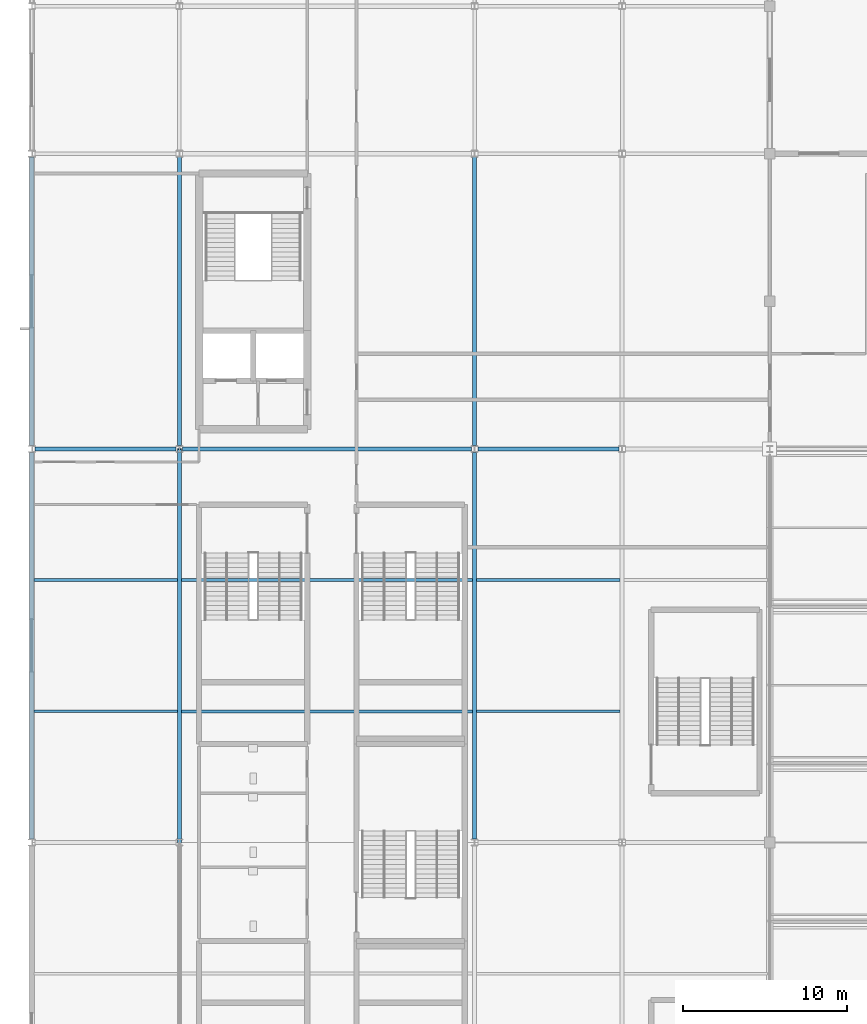
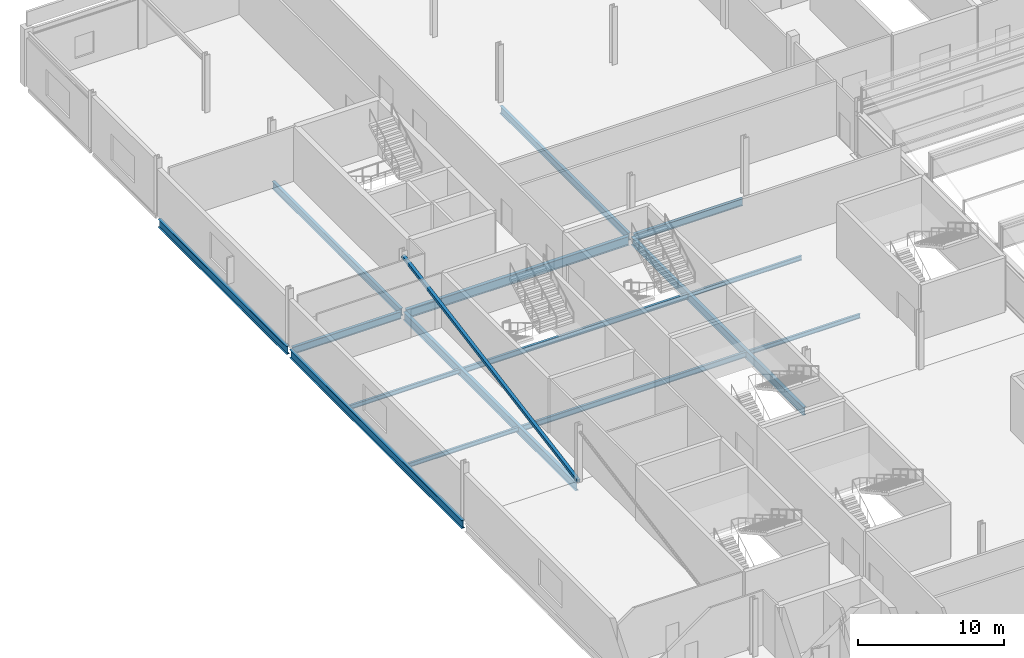
# One storey, part 37 of 136: 15 beams, 1 member.
"""IFC4 building model written with IfcOpenShell, lengths in metres."""

from ifc_helpers import new_model, si_unit, direction, frame, origin, origin_2d, place, context, subcontext, project, spatial, hollow_rectangle, i_section, extrude, material, material_profile, profile_set, type_object, element, save


model = new_model("IFC4")

# Units and contexts
model_context = context("Model", 3, precision=1e-05, world=origin(), true_north=direction((0.0, 1.0)))
body_context = subcontext(model_context, "Body", "Model", "MODEL_VIEW")
ifc_project = project(units=[si_unit("LENGTHUNIT", "METRE"), si_unit("AREAUNIT", "SQUARE_METRE"), si_unit("VOLUMEUNIT", "CUBIC_METRE"), si_unit("PLANEANGLEUNIT", "RADIAN"), si_unit("MASSUNIT", "GRAM", prefix="KILO")], contexts=[model_context])

# Site, building, storey
site_placement = place(None, origin())
site = spatial("IfcSite", under=ifc_project, at=site_placement, CompositionType="ELEMENT")
building_placement = place(site_placement, origin())
building = spatial("IfcBuilding", under=site, at=building_placement, Name="Kisiwana Market Hall", CompositionType="ELEMENT")
storey_placement = place(building_placement, frame((0.0, 0.0, 16.800048828125)))
storey = spatial("IfcBuildingStorey", under=building, at=storey_placement, Name="L03", CompositionType="ELEMENT", Elevation=16.800048828125)

# Beams
ifc_material_1 = material(Name="Steel S355", Category="steel")
ifc_material_profile_1 = material_profile(ifc_material_1, i_section(OverallWidth=0.22900390625, OverallDepth=0.6123046875, WebThickness=0.011962890625, FlangeThickness=0.01953125, at=origin_2d()), Name="UB 610x229x125")
ifc_profile_set_1 = profile_set([ifc_material_profile_1], Name="Steel S355")
beam_type_1 = type_object("IfcBeamType", Name="BM-GIRD-UB610H", PredefinedType="BEAM", material=ifc_profile_set_1)
for number, where, z_axis, x_axis, name in (
    (1, (0.198974609375, 84.0, -0.55615234375), (1.0, 0.0, 0.0), (0.0, 1.0, 0.0), "Floor beam B-1025"),
    (2, (27.198974609375, 84.0, -0.55615234375), (1.0, 0.0, 0.0), (0.0, 1.0, 0.0), "Floor beam B-1027"),
):
    element("IfcBeam", number, at=place(storey_placement, frame(where, z_axis=z_axis, x_axis=x_axis)), inside=storey, type_object=beam_type_1, Name=name, PredefinedType="BEAM", context=body_context, shape_type="SweptSolid", body=[
        extrude(i_section(OverallWidth=0.22900390625, OverallDepth=0.6123046875, WebThickness=0.011962890625, FlangeThickness=0.01953125, at=origin_2d()), origin(), (0.0, 0.0, 1.0), 8.60205078125),
    ])
for number, where, z_axis, x_axis, name in (
    (3, (9.0, 84.2041015625, -0.55615234375), (0.0, 1.0, 0.0), (-1.0, 0.0, 0.0), "Primary girder B-0858"),
    (4, (27.0, 84.2041015625, -0.55615234375), (0.0, 1.0, 0.0), (-1.0, 0.0, 0.0), "Primary girder B-0864"),
):
    element("IfcBeam", number, at=place(storey_placement, frame(where, z_axis=z_axis, x_axis=x_axis)), inside=storey, type_object=beam_type_1, Name=name, PredefinedType="BEAM", context=body_context, shape_type="SweptSolid", body=[
        extrude(i_section(OverallWidth=0.22900390625, OverallDepth=0.6123046875, WebThickness=0.011962890625, FlangeThickness=0.01953125, at=origin_2d()), origin(), (0.0, 0.0, 1.0), 17.591796875),
    ])
ifc_material_2 = material(Name="Steel S355", Category="steel")
ifc_material_profile_2 = material_profile(ifc_material_2, i_section(OverallWidth=0.253662109375, OverallDepth=0.68359375, WebThickness=0.012451171875, FlangeThickness=0.01904296875, at=origin_2d()), Name="UB 686x254x140")
ifc_profile_set_2 = profile_set([ifc_material_profile_2], Name="Steel S355")
beam_type_2 = type_object("IfcBeamType", Name="BM-GIRD-UB686", PredefinedType="BEAM", material=ifc_profile_set_2)
beam_1_placement = place(storey_placement, frame((0.0, 60.2041015625, -0.591796875), z_axis=(0.0, 1.0, 0.0), x_axis=(-1.0, 0.0, 0.0)))
element("IfcBeam", 5, at=beam_1_placement, inside=storey, type_object=beam_type_2, Name="Floor beam B-1081", PredefinedType="BEAM", context=body_context, shape_type="SweptSolid", body=[
    extrude(i_section(OverallWidth=0.253662109375, OverallDepth=0.68359375, WebThickness=0.012451171875, FlangeThickness=0.01904296875, at=origin_2d()), origin(), (0.0, 0.0, 1.0), 23.591796875),
])
beam_2_placement = place(storey_placement, frame((0.0, 84.2041015625, -0.591796875), z_axis=(0.0, 1.0, 0.0), x_axis=(-1.0, 0.0, 0.0)))
element("IfcBeam", 6, at=beam_2_placement, inside=storey, type_object=beam_type_2, Name="Floor beam B-1082", PredefinedType="BEAM", context=body_context, shape_type="SweptSolid", body=[
    extrude(i_section(OverallWidth=0.253662109375, OverallDepth=0.68359375, WebThickness=0.012451171875, FlangeThickness=0.01904296875, at=origin_2d()), origin(), (0.0, 0.0, 1.0), 17.591796875),
])
for number, where, z_axis, x_axis, name in (
    (7, (27.0, 60.2041015625, -0.591796875), (0.0, 1.0, 0.0), (-1.0, 0.0, 0.0), "Floor beam B-1086"),
    (8, (9.0, 60.2041015625, -0.591796875), (0.0, 1.0, 0.0), (-1.0, 0.0, 0.0), "Primary girder B-0857"),
):
    element("IfcBeam", number, at=place(storey_placement, frame(where, z_axis=z_axis, x_axis=x_axis)), inside=storey, type_object=beam_type_2, Name=name, PredefinedType="BEAM", context=body_context, shape_type="SweptSolid", body=[
        extrude(i_section(OverallWidth=0.253662109375, OverallDepth=0.68359375, WebThickness=0.012451171875, FlangeThickness=0.01904296875, at=origin_2d()), origin(), (0.0, 0.0, 1.0), 23.591796875),
    ])
ifc_material_3 = material(Name="Steel S355", Category="steel")
ifc_material_profile_3 = material_profile(ifc_material_3, i_section(OverallWidth=0.2666015625, OverallDepth=0.76220703125, WebThickness=0.014404296875, FlangeThickness=0.021484375, at=origin_2d()), Name="UB 762x267x173")
ifc_profile_set_3 = profile_set([ifc_material_profile_3], Name="Steel S355")
beam_type_3 = type_object("IfcBeamType", Name="BM-GIRD-UB762", PredefinedType="BEAM", material=ifc_profile_set_3)
beam_3_placement = place(storey_placement, frame((9.198974609375, 84.0, -0.631103515625), z_axis=(1.0, 0.0, 0.0), x_axis=(0.0, 1.0, 0.0)))
element("IfcBeam", 9, at=beam_3_placement, inside=storey, type_object=beam_type_3, Name="Floor beam B-1026", PredefinedType="BEAM", context=body_context, shape_type="SweptSolid", body=[
    extrude(i_section(OverallWidth=0.2666015625, OverallDepth=0.76220703125, WebThickness=0.014404296875, FlangeThickness=0.021484375, at=origin_2d()), origin(), (0.0, 0.0, 1.0), 17.60205078125),
])
ifc_material_4 = material(Name="Steel S355", Category="steel")
ifc_material_profile_4 = material_profile(ifc_material_4, i_section(OverallWidth=0.17138671875, OverallDepth=0.35498046875, WebThickness=0.00732421875, FlangeThickness=0.011474609375, at=origin_2d()), Name="UB 356x171x51")
ifc_profile_set_4 = profile_set([ifc_material_profile_4], Name="Steel S355")
beam_type_4 = type_object("IfcBeamType", Name="BM-JOIST-UB356", PredefinedType="JOIST", material=ifc_profile_set_4)
for number, where, z_axis, x_axis, name in (
    (10, (0.125732421875, 68.0, -0.427490234375), (1.0, 0.0, 0.0), (0.0, 1.0, 0.0), "Secondary floor joist B-0957"),
    (11, (27.125732421875, 68.0, -0.427490234375), (1.0, 0.0, 0.0), (0.0, 1.0, 0.0), "Secondary floor joist B-0959"),
    (12, (0.125732421875, 76.0, -0.427490234375), (1.0, 0.0, 0.0), (0.0, 1.0, 0.0), "Secondary floor joist B-0963"),
    (13, (27.125732421875, 76.0, -0.427490234375), (1.0, 0.0, 0.0), (0.0, 1.0, 0.0), "Secondary floor joist B-0965"),
):
    element("IfcBeam", number, at=place(storey_placement, frame(where, z_axis=z_axis, x_axis=x_axis)), inside=storey, type_object=beam_type_4, Name=name, PredefinedType="JOIST", context=body_context, shape_type="SweptSolid", body=[
        extrude(i_section(OverallWidth=0.17138671875, OverallDepth=0.35498046875, WebThickness=0.00732421875, FlangeThickness=0.011474609375, at=origin_2d()), origin(), (0.0, 0.0, 1.0), 8.74853515625),
    ])
ifc_material_5 = material(Name="Steel S355", Category="steel")
ifc_material_profile_5 = material_profile(ifc_material_5, i_section(OverallWidth=0.18994140625, OverallDepth=0.453369140625, WebThickness=0.008544921875, FlangeThickness=0.0126953125, at=origin_2d()), Name="UB 457x191x67")
ifc_profile_set_5 = profile_set([ifc_material_profile_5], Name="Steel S355")
beam_type_5 = type_object("IfcBeamType", Name="BM-JOIST-UB457", PredefinedType="JOIST", material=ifc_profile_set_5)
for number, where, z_axis, x_axis, name in (
    (14, (9.125732421875, 68.0, -0.476806640625), (1.0, 0.0, 0.0), (0.0, 1.0, 0.0), "Secondary floor joist B-0958"),
    (15, (9.125732421875, 76.0, -0.476806640625), (1.0, 0.0, 0.0), (0.0, 1.0, 0.0), "Secondary floor joist B-0964"),
):
    element("IfcBeam", number, at=place(storey_placement, frame(where, z_axis=z_axis, x_axis=x_axis)), inside=storey, type_object=beam_type_5, Name=name, PredefinedType="JOIST", context=body_context, shape_type="SweptSolid", body=[
        extrude(i_section(OverallWidth=0.18994140625, OverallDepth=0.453369140625, WebThickness=0.008544921875, FlangeThickness=0.0126953125, at=origin_2d()), origin(), (0.0, 0.0, 1.0), 17.74853515625),
    ])

# Member
ifc_material_6 = material(Name="Steel S355", Category="steel")
ifc_material_profile_6 = material_profile(ifc_material_6, hollow_rectangle(XDim=0.25, YDim=0.25, WallThickness=0.012451171875, at=origin_2d()), Name="SHS 250x250x12.5")
ifc_profile_set_6 = profile_set([ifc_material_profile_6], Name="Steel S355")
member_type = type_object("IfcMemberType", Name="MB-CBF-SHS250", PredefinedType="BRACE", material=ifc_profile_set_6)
member_placement = place(storey_placement, frame((9.0, 60.0, 0.0), z_axis=(0.0, 0.98464571067, 0.17456467128), x_axis=(-1.0, 0.0, 0.0)))
element("IfcMember", 16, at=member_placement, inside=storey, type_object=member_type, Name="CBF-W-S diagonal brace (L03) M-0023", PredefinedType="BRACE", context=body_context, shape_type="SweptSolid", body=[
    extrude(hollow_rectangle(XDim=0.25, YDim=0.25, WallThickness=0.012451171875, at=origin_2d()), origin(), (0.0, 0.0, 1.0), 24.374267578125),
])

save(model, "model.ifc")
